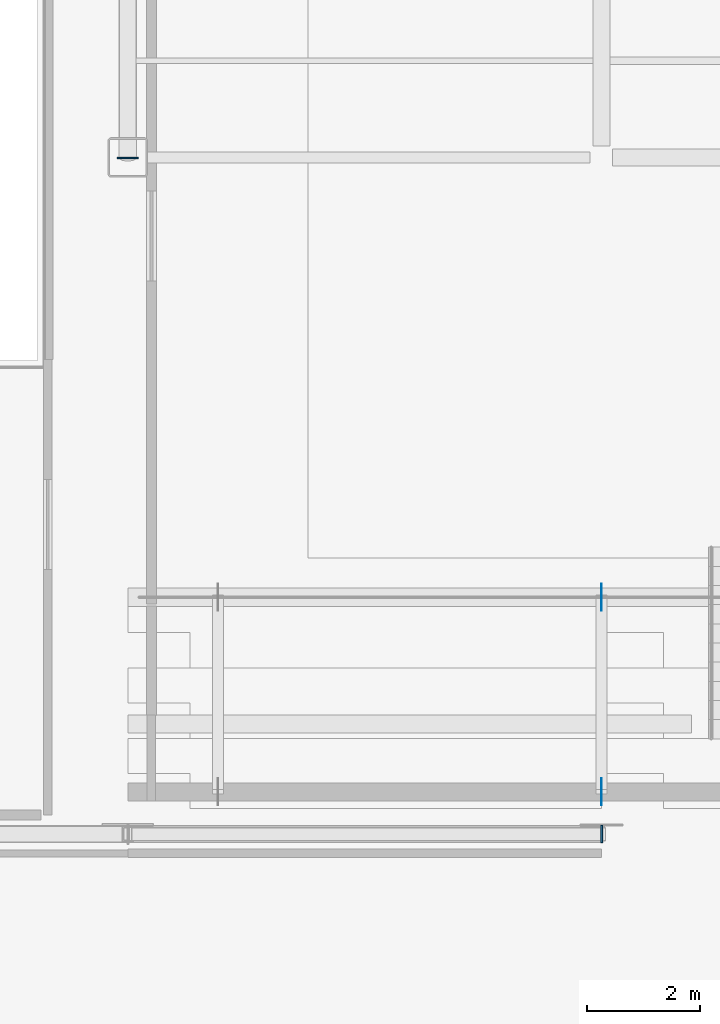
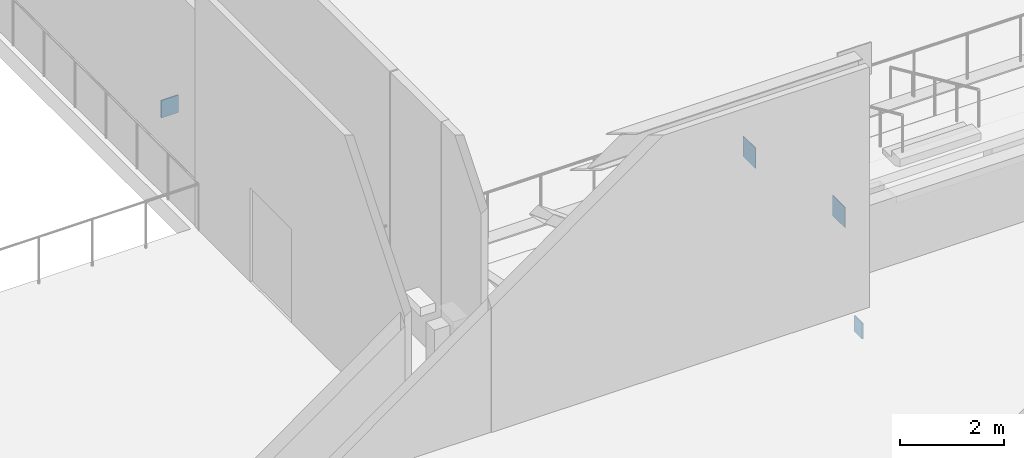
# One storey, part 85 of 135: 4 plates.
"""IFC4 building model written with IfcOpenShell, lengths in metres."""

from ifc_helpers import new_model, si_unit, direction, frame, origin, origin_2d, place, context, subcontext, project, spatial, rectangle, extrude, material, layer, layer_set, type_object, element, save


model = new_model("IFC4")

# Units and contexts
model_context = context("Model", 3, precision=1e-05, world=origin(), true_north=direction((0.0, 1.0)))
body_context = subcontext(model_context, "Body", "Model", "MODEL_VIEW")
ifc_project = project(units=[si_unit("LENGTHUNIT", "METRE"), si_unit("AREAUNIT", "SQUARE_METRE"), si_unit("VOLUMEUNIT", "CUBIC_METRE"), si_unit("PLANEANGLEUNIT", "RADIAN"), si_unit("MASSUNIT", "GRAM", prefix="KILO")], contexts=[model_context])

# Site, building, storey
site_placement = place(None, origin())
site = spatial("IfcSite", under=ifc_project, at=site_placement, CompositionType="ELEMENT")
building_placement = place(site_placement, origin())
building = spatial("IfcBuilding", under=site, at=building_placement, Name="Larkvane Passage Sports Hall", CompositionType="ELEMENT")
storey_placement = place(building_placement, frame((0.0, 0.0, 10.800048828125)))
storey = spatial("IfcBuildingStorey", under=building, at=storey_placement, Name="L02", CompositionType="ELEMENT", Elevation=10.800048828125)

# Plates
ifc_material_1 = material(Name="Steel S355JR", Category="steel")
ifc_layer_1 = layer(ifc_material_1, 0.011962890625)
ifc_layer_set_1 = layer_set([ifc_layer_1], Name="Steel S355JR")
plate_type_1 = type_object("IfcPlateType", Name="PLT-CAP-12", PredefinedType="SHEET", material=ifc_layer_set_1)
plate_1_placement = place(storey_placement, frame((43.204833984375, 39.60009765625, -0.90185546875), z_axis=(0.0, 0.0, 1.0), x_axis=(0.0, 1.0, 0.0)))
element("IfcPlate", 1, at=plate_1_placement, inside=storey, type_object=plate_type_1, Name="Hollow section sealed end cap plate 0093", PredefinedType="SHEET", context=body_context, shape_type="SweptSolid", body=[
    extrude(rectangle(XDim=0.31005859375, YDim=0.028076171875, at=origin_2d()), origin(), (0.0, 0.0, 1.0), 0.368896484375),
])
ifc_material_2 = material(Name="Steel S460N", Category="steel")
ifc_layer_2 = layer(ifc_material_2, 0.02001953125)
ifc_layer_set_2 = layer_set([ifc_layer_2], Name="Steel S460N")
plate_type_2 = type_object("IfcPlateType", Name="PLT-CAP-20", PredefinedType="SHEET", material=ifc_layer_set_2)
plate_2_placement = place(storey_placement, frame((34.800048828125, 51.5908203125, -0.05810546875), z_axis=(0.0, 0.0, 1.0), x_axis=(-1.0, 0.0, 0.0)))
element("IfcPlate", 2, at=plate_2_placement, inside=storey, type_object=plate_type_2, Name="Hollow section sealed end cap plate 0560", PredefinedType="SHEET", context=body_context, shape_type="SweptSolid", body=[
    extrude(rectangle(XDim=0.37890625, YDim=0.028076171875, at=origin_2d()), origin(), (0.0, 0.0, 1.0), 0.407958984375),
])
ifc_layer_3 = layer(ifc_material_2, 0.01611328125)
ifc_layer_set_3 = layer_set([ifc_layer_3], Name="Steel S460N")
plate_type_3 = type_object("IfcPlateType", Name="PLT-GUS-16", PredefinedType="USERDEFINED", material=ifc_layer_set_3)
for number, where, z_axis, x_axis, name in (
    (3, (43.199951171875, 43.800048828125, 0.60986328125), (0.0, 0.0, 1.0), (0.0, -1.0, 0.0), "Brace connection gusset plate 0047"),
    (4, (43.199951171875, 40.35009765625, 1.31005859375), (0.0, 0.0, 1.0), (0.0, -1.0, 0.0), "Brace connection gusset plate 0048"),
):
    element("IfcPlate", number, at=place(storey_placement, frame(where, z_axis=z_axis, x_axis=x_axis)), inside=storey, type_object=plate_type_3, Name=name, ObjectType="GUSSET PLATE", PredefinedType="USERDEFINED", context=body_context, shape_type="SweptSolid", body=[
        extrude(rectangle(XDim=0.47998046875, YDim=0.01611328125, at=origin_2d()), origin(), (0.0, 0.0, 1.0), 0.47998046875),
    ])

save(model, "model.ifc")
